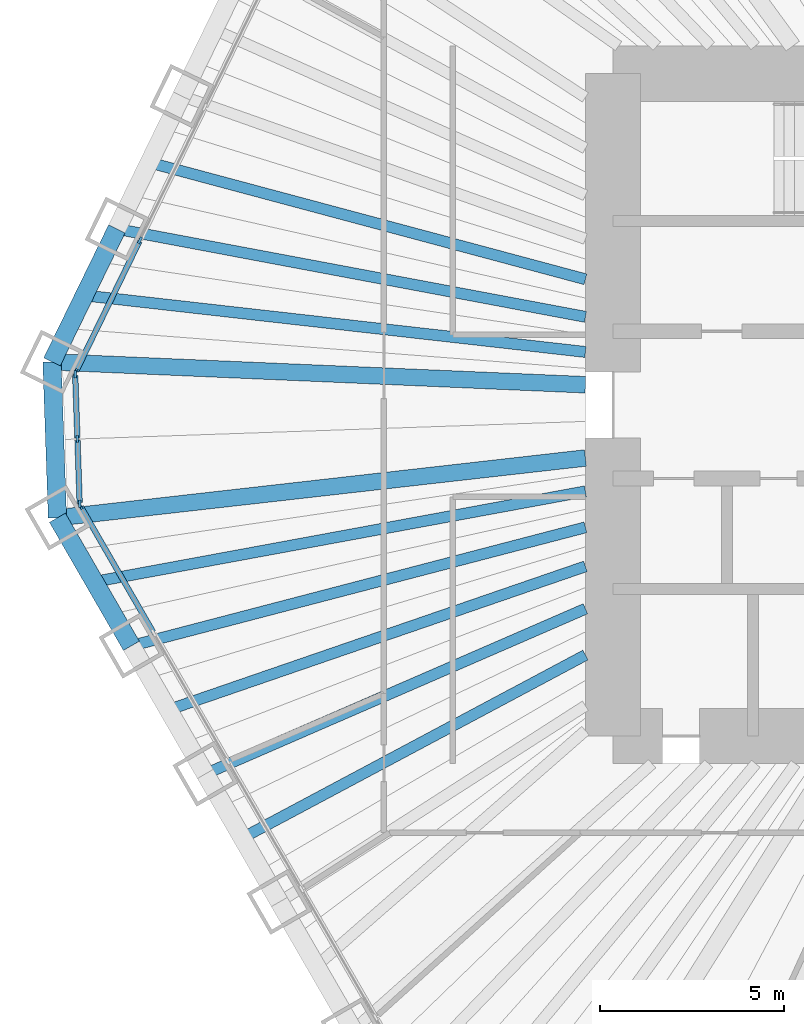
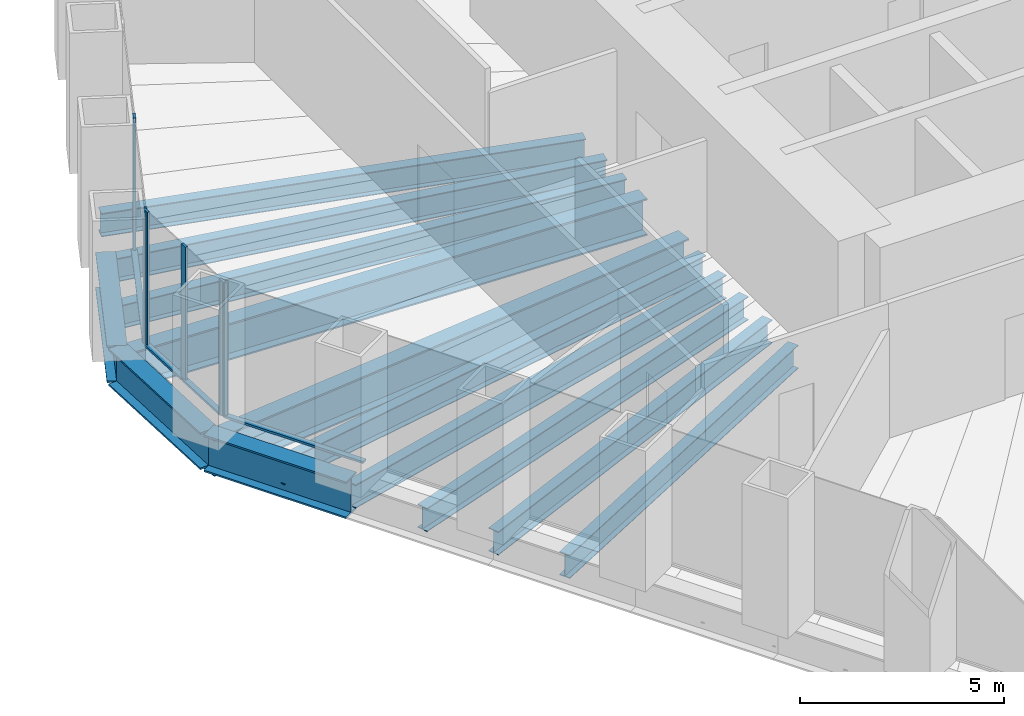
# One storey, part 3 of 13: 13 beams, 10 members, 3 elements without a shape of their own.
"""IFC4 building model written with IfcOpenShell, lengths in metres."""

from ifc_helpers import new_model, si_unit, direction, frame, origin, origin_2d, place, context, subcontext, project, spatial, rectangle, i_section, extrude, material, material_profile, profile_set, type_object, element, aggregate, save


model = new_model("IFC4")

# Units and contexts
model_context = context("Model", 3, precision=1e-05, world=origin(), true_north=direction((0.0, 1.0)))
body_context = subcontext(model_context, "Body", "Model", "MODEL_VIEW")
ifc_project = project(units=[si_unit("LENGTHUNIT", "METRE"), si_unit("AREAUNIT", "SQUARE_METRE"), si_unit("VOLUMEUNIT", "CUBIC_METRE"), si_unit("PLANEANGLEUNIT", "RADIAN"), si_unit("MASSUNIT", "GRAM", prefix="KILO")], contexts=[model_context])

# Site, building, storey
site_placement = place(None, origin())
site = spatial("IfcSite", under=ifc_project, at=site_placement, CompositionType="ELEMENT")
building_placement = place(site_placement, origin())
building = spatial("IfcBuilding", under=site, at=building_placement, Name="Qingtian Harvest Tower", CompositionType="ELEMENT")
storey_placement = place(building_placement, frame((0.0, 0.0, 161.800048828125)))
storey = spatial("IfcBuildingStorey", under=building, at=storey_placement, Name="L34", CompositionType="ELEMENT", Elevation=161.800048828125)

# Beams
ifc_material_1 = material(Name="Steel SM570MC", Category="steel")
ifc_material_profile_1 = material_profile(ifc_material_1, i_section(OverallWidth=0.449951171875, OverallDepth=1.10009765625, WebThickness=0.02197265625, FlangeThickness=0.044921875, at=origin_2d()), Name="H1100x450x22x45")
ifc_profile_set_1 = profile_set([ifc_material_profile_1], Name="Steel SM570MC")
beam_type_1 = type_object("IfcBeamType", Name="Corner floor beam FB8 H1100x450x22x45", PredefinedType="BEAM", material=ifc_profile_set_1)
beam_1_placement = place(storey_placement, frame((-27.096923828125, -3.066650390625, -0.719970703125), z_axis=(0.993656070393, 0.112461610213, 0.0), x_axis=(-0.112461610213, 0.993656070393, 0.0)))
element("IfcBeam", 1, at=beam_1_placement, inside=storey, type_object=beam_type_1, Name="Floor beam FB8 SW6", PredefinedType="BEAM", context=body_context, shape_type="SweptSolid", body=[
    extrude(i_section(OverallWidth=0.449951171875, OverallDepth=1.10009765625, WebThickness=0.02197265625, FlangeThickness=0.044921875, at=origin_2d()), origin(), (0.0, 0.0, 1.0), 14.4384765625),
])
beam_2_placement = place(storey_placement, frame((-27.244873046875, 1.1689453125, -0.719970703125), z_axis=(0.999081074678, -0.042860310542, 0.0), x_axis=(0.042860310542, 0.999081074678, 0.0)))
element("IfcBeam", 2, at=beam_2_placement, inside=storey, type_object=beam_type_1, Name="Floor beam FB8 NW0", PredefinedType="BEAM", context=body_context, shape_type="SweptSolid", body=[
    extrude(i_section(OverallWidth=0.449951171875, OverallDepth=1.10009765625, WebThickness=0.02197265625, FlangeThickness=0.044921875, at=origin_2d()), origin(), (0.0, 0.0, 1.0), 14.50830078125),
])
ifc_material_2 = material(Name="Steel SN490B", Category="steel")
ifc_material_profile_2 = material_profile(ifc_material_2, i_section(OverallWidth=0.300048828125, OverallDepth=0.699951171875, WebThickness=0.012939453125, FlangeThickness=0.02392578125, at=origin_2d()), Name="H700x300x13x24")
ifc_profile_set_2 = profile_set([ifc_material_profile_2], Name="Steel SN490B")
beam_type_2 = type_object("IfcBeamType", Name="Floor beam FB2 H700x300x13x24", PredefinedType="BEAM", material=ifc_profile_set_2)
beam_3_placement = place(storey_placement, frame((-23.077880859375, -10.02783203125, -0.52001953125), z_axis=(0.917154138631, 0.398532666154, 0.0), x_axis=(-0.398532666154, 0.917154138631, 0.0)))
element("IfcBeam", 3, at=beam_3_placement, inside=storey, type_object=beam_type_2, Name="Floor beam FB2 SW4", PredefinedType="BEAM", context=body_context, shape_type="SweptSolid", body=[
    extrude(i_section(OverallWidth=0.300048828125, OverallDepth=0.699951171875, WebThickness=0.012939453125, FlangeThickness=0.02392578125, at=origin_2d()), origin(), (0.0, 0.0, 1.0), 11.2607421875),
])
beam_4_placement = place(storey_placement, frame((-25.08740234375, -6.547119140625, -0.52001953125), z_axis=(0.967592867696, 0.252515429991, 0.0), x_axis=(-0.252515429991, 0.967592867696, 0.0)))
element("IfcBeam", 4, at=beam_4_placement, inside=storey, type_object=beam_type_2, Name="Floor beam FB2 SW5", PredefinedType="BEAM", context=body_context, shape_type="SweptSolid", body=[
    extrude(i_section(OverallWidth=0.300048828125, OverallDepth=0.699951171875, WebThickness=0.012939453125, FlangeThickness=0.02392578125, at=origin_2d()), origin(), (0.0, 0.0, 1.0), 12.750732421875),
])
beam_5_placement = place(storey_placement, frame((-25.483154296875, 4.78125, -0.52001953125), z_axis=(0.982851913913, -0.184396625015, 0.0), x_axis=(0.184396625015, 0.982851913913, 0.0)))
element("IfcBeam", 5, at=beam_5_placement, inside=storey, type_object=beam_type_2, Name="Floor beam FB2 NW1", PredefinedType="BEAM", context=body_context, shape_type="SweptSolid", body=[
    extrude(i_section(OverallWidth=0.300048828125, OverallDepth=0.699951171875, WebThickness=0.012939453125, FlangeThickness=0.02392578125, at=origin_2d()), origin(), (0.0, 0.0, 1.0), 12.955322265625),
])
ifc_material_3 = material(Name="Steel SN490B", Category="steel")
ifc_material_profile_3 = material_profile(ifc_material_3, i_section(OverallWidth=0.300048828125, OverallDepth=0.699951171875, WebThickness=0.012939453125, FlangeThickness=0.02392578125, at=origin_2d()), Name="H700x300x13x24")
ifc_profile_set_3 = profile_set([ifc_material_profile_3], Name="Steel SN490B")
beam_type_3 = type_object("IfcBeamType", Name="Floor joist J2 H700x300x13x24", PredefinedType="JOIST", material=ifc_profile_set_3)
beam_6_placement = place(storey_placement, frame((-22.0732421875, -11.76806640625, -0.52001953125), z_axis=(0.882429048443, 0.47044550637, 0.0), x_axis=(-0.47044550637, 0.882429048443, 0.0)))
element("IfcBeam", 6, at=beam_6_placement, inside=storey, type_object=beam_type_3, Name="Floor joist J2 SW3", PredefinedType="JOIST", context=body_context, shape_type="SweptSolid", body=[
    extrude(i_section(OverallWidth=0.300048828125, OverallDepth=0.699951171875, WebThickness=0.012939453125, FlangeThickness=0.02392578125, at=origin_2d()), origin(), (0.0, 0.0, 1.0), 10.5654296875),
])
beam_7_placement = place(storey_placement, frame((-24.082763671875, -8.28759765625, -0.52001953125), z_axis=(0.945577150072, 0.325397992099, 0.0), x_axis=(-0.325397992099, 0.945577150072, 0.0)))
element("IfcBeam", 7, at=beam_7_placement, inside=storey, type_object=beam_type_3, Name="Floor joist J2 SW4", PredefinedType="JOIST", context=body_context, shape_type="SweptSolid", body=[
    extrude(i_section(OverallWidth=0.300048828125, OverallDepth=0.699951171875, WebThickness=0.012939453125, FlangeThickness=0.02392578125, at=origin_2d()), origin(), (0.0, 0.0, 1.0), 11.985107421875),
])
beam_8_placement = place(storey_placement, frame((-26.09228515625, -4.806884765625, -0.52001953125), z_axis=(0.983450319804, 0.181178002192, 0.0), x_axis=(-0.181178002192, 0.983450319804, 0.0)))
element("IfcBeam", 8, at=beam_8_placement, inside=storey, type_object=beam_type_3, Name="Floor joist J2 SW5", PredefinedType="JOIST", context=body_context, shape_type="SweptSolid", body=[
    extrude(i_section(OverallWidth=0.300048828125, OverallDepth=0.699951171875, WebThickness=0.012939453125, FlangeThickness=0.02392578125, at=origin_2d()), origin(), (0.0, 0.0, 1.0), 13.56689453125),
])
beam_9_placement = place(storey_placement, frame((-26.364013671875, 2.97509765625, -0.52001953125), z_axis=(0.993692330348, -0.112140771387, 0.0), x_axis=(0.112140771387, 0.993692330348, 0.0)))
element("IfcBeam", 9, at=beam_9_placement, inside=storey, type_object=beam_type_3, Name="Floor joist J2 NW0", PredefinedType="JOIST", context=body_context, shape_type="SweptSolid", body=[
    extrude(i_section(OverallWidth=0.300048828125, OverallDepth=0.699951171875, WebThickness=0.012939453125, FlangeThickness=0.02392578125, at=origin_2d()), origin(), (0.0, 0.0, 1.0), 13.700439453125),
])
beam_10_placement = place(storey_placement, frame((-24.60205078125, 6.58740234375, -0.52001953125), z_axis=(0.965969893862, -0.258654526641, 0.0), x_axis=(0.258654526641, 0.965969893862, 0.0)))
element("IfcBeam", 10, at=beam_10_placement, inside=storey, type_object=beam_type_3, Name="Floor joist J2 NW1", PredefinedType="JOIST", context=body_context, shape_type="SweptSolid", body=[
    extrude(i_section(OverallWidth=0.300048828125, OverallDepth=0.699951171875, WebThickness=0.012939453125, FlangeThickness=0.02392578125, at=origin_2d()), origin(), (0.0, 0.0, 1.0), 12.26953125),
])

# Curtain wall, member
ifc_material_4 = material(Name="Bronze-anodised aluminium curtain wall", Category="aluminium")
curtain_wall_type = type_object("IfcCurtainWallType", Name="Curtain wall CW4 office", PredefinedType="USERDEFINED", material=ifc_material_4)
curtain_wall_1_placement = place(storey_placement, origin())
curtain_wall_1 = element("IfcCurtainWall", 11, at=curtain_wall_1_placement, inside=storey, type_object=curtain_wall_type, Name="Curtain wall CW4 L34 SW0-5", ObjectType="RECESSED CURTAIN WALL", PredefinedType="USERDEFINED")
ifc_material_5 = material(Name="Bronze-anodised aluminium mullion", Category="aluminium")
ifc_material_profile_4 = material_profile(ifc_material_5, rectangle(XDim=0.06494140625, YDim=0.199951171875, at=origin_2d()), Name="AL 65x200")
ifc_profile_set_4 = profile_set([ifc_material_profile_4], Name="Bronze-anodised aluminium mullion")
member_type_1 = type_object("IfcMemberType", Name="Mullion CWM 65x200", PredefinedType="MULLION", material=ifc_profile_set_4)
member_1_placement = place(storey_placement, frame((-26.474609375, -2.744873046875, 0.0), z_axis=(0.0, 0.0, 1.0), x_axis=(-0.866025403784, -0.5, 0.0)))
member_1 = element("IfcMember", 12, at=member_1_placement, type_object=member_type_1, Name="CW4 mullion 7", PredefinedType="MULLION", context=body_context, shape_type="SweptSolid", body=[
    extrude(rectangle(XDim=0.06494140625, YDim=0.199951171875, at=origin_2d()), origin(), (0.0, 0.0, 1.0), 4.030029296875),
])

# Curtain wall, members
curtain_wall_2_placement = place(storey_placement, origin())
curtain_wall_2 = element("IfcCurtainWall", 13, at=curtain_wall_2_placement, inside=storey, type_object=curtain_wall_type, Name="Curtain wall CW4 L34 SWC", ObjectType="RECESSED CURTAIN WALL", PredefinedType="USERDEFINED")
member_2_placement = place(storey_placement, frame((-26.491943359375, -2.68408203125, 0.0), z_axis=(0.0, 0.0, 1.0), x_axis=(-0.999390827019, -0.034899496703, 0.0)))
member_2 = element("IfcMember", 14, at=member_2_placement, type_object=member_type_1, Name="CW4 mullion 1", PredefinedType="MULLION", context=body_context, shape_type="SweptSolid", body=[
    extrude(rectangle(XDim=0.06494140625, YDim=0.199951171875, at=origin_2d()), origin(), (0.0, 0.0, 1.0), 4.030029296875),
])
member_3_placement = place(storey_placement, frame((-26.55322265625, -0.92724609375, 0.0), z_axis=(0.0, 0.0, 1.0), x_axis=(-0.999390827019, -0.034899496703, 0.0)))
member_3 = element("IfcMember", 15, at=member_3_placement, type_object=member_type_1, Name="CW4 mullion 2", PredefinedType="MULLION", context=body_context, shape_type="SweptSolid", body=[
    extrude(rectangle(XDim=0.06494140625, YDim=0.199951171875, at=origin_2d()), origin(), (0.0, 0.0, 1.0), 4.030029296875),
])
member_4_placement = place(storey_placement, frame((-26.614501953125, 0.82958984375, 0.0), z_axis=(0.0, 0.0, 1.0), x_axis=(-0.999390827019, -0.034899496703, 0.0)))
member_4 = element("IfcMember", 16, at=member_4_placement, type_object=member_type_1, Name="CW4 mullion 3", PredefinedType="MULLION", context=body_context, shape_type="SweptSolid", body=[
    extrude(rectangle(XDim=0.06494140625, YDim=0.199951171875, at=origin_2d()), origin(), (0.0, 0.0, 1.0), 4.030029296875),
])

curtain_wall_3_placement = place(storey_placement, origin())
curtain_wall_3 = element("IfcCurtainWall", 17, at=curtain_wall_3_placement, inside=storey, type_object=curtain_wall_type, Name="Curtain wall CW4 L34 NW0-5", ObjectType="RECESSED CURTAIN WALL", PredefinedType="USERDEFINED")
member_5_placement = place(storey_placement, frame((-26.6015625, 0.891357421875, 0.0), z_axis=(0.0, 0.0, 1.0), x_axis=(-0.898794046299, 0.438371146789, 0.0)))
member_5 = element("IfcMember", 18, at=member_5_placement, type_object=member_type_1, Name="CW4 mullion 1", PredefinedType="MULLION", context=body_context, shape_type="SweptSolid", body=[
    extrude(rectangle(XDim=0.06494140625, YDim=0.199951171875, at=origin_2d()), origin(), (0.0, 0.0, 1.0), 4.030029296875),
])
member_6_placement = place(storey_placement, frame((-24.85400390625, 4.474365234375, 0.0), z_axis=(0.0, 0.0, 1.0), x_axis=(-0.898794046299, 0.438371146789, 0.0)))
member_6 = element("IfcMember", 19, at=member_6_placement, type_object=member_type_1, Name="CW4 mullion 2", PredefinedType="MULLION", context=body_context, shape_type="SweptSolid", body=[
    extrude(rectangle(XDim=0.06494140625, YDim=0.199951171875, at=origin_2d()), origin(), (0.0, 0.0, 1.0), 4.030029296875),
])

# Beams
ifc_material_6 = material(Name="Steel SM570MC", Category="steel")
ifc_material_profile_5 = material_profile(ifc_material_6, i_section(OverallWidth=0.5, OverallDepth=1.10009765625, WebThickness=0.02490234375, FlangeThickness=0.050048828125, at=origin_2d()), Name="H1100x500x25x50")
ifc_profile_set_5 = profile_set([ifc_material_profile_5], Name="Steel SM570MC")
beam_type_4 = type_object("IfcBeamType", Name="Spandrel beam SB2 H1100x500x25x50", PredefinedType="SPANDREL", material=ifc_profile_set_5)
beam_11_placement = place(storey_placement, frame((-25.08740234375, -6.547119140625, -0.550048828125), z_axis=(-0.500013420409, 0.866017655369, 0.0), x_axis=(-0.866017655369, -0.500013420409, 0.0)))
element("IfcBeam", 20, at=beam_11_placement, inside=storey, type_object=beam_type_4, Name="Spandrel SB2 SW5", PredefinedType="SPANDREL", context=body_context, shape_type="SweptSolid", body=[
    extrude(i_section(OverallWidth=0.5, OverallDepth=1.10009765625, WebThickness=0.02490234375, FlangeThickness=0.050048828125, at=origin_2d()), origin(), (0.0, 0.0, 1.0), 4.01904296875),
])
beam_12_placement = place(storey_placement, frame((-27.096923828125, -3.066650390625, -0.550048828125), z_axis=(-0.034908677553, 0.999390506375, 0.0), x_axis=(-0.999390506375, -0.034908677553, 0.0)))
element("IfcBeam", 21, at=beam_12_placement, inside=storey, type_object=beam_type_4, Name="Spandrel SB2 SWC", PredefinedType="SPANDREL", context=body_context, shape_type="SweptSolid", body=[
    extrude(i_section(OverallWidth=0.5, OverallDepth=1.10009765625, WebThickness=0.02490234375, FlangeThickness=0.050048828125, at=origin_2d()), origin(), (0.0, 0.0, 1.0), 4.23828125),
])
beam_13_placement = place(storey_placement, frame((-27.244873046875, 1.1689453125, -0.550048828125), z_axis=(0.438347033158, 0.898805806902, 0.0), x_axis=(-0.898805806902, 0.438347033158, 0.0)))
element("IfcBeam", 22, at=beam_13_placement, inside=storey, type_object=beam_type_4, Name="Spandrel SB2 NW0", PredefinedType="SPANDREL", context=body_context, shape_type="SweptSolid", body=[
    extrude(i_section(OverallWidth=0.5, OverallDepth=1.10009765625, WebThickness=0.02490234375, FlangeThickness=0.050048828125, at=origin_2d()), origin(), (0.0, 0.0, 1.0), 4.01904296875),
])

# Member
ifc_material_7 = material(Name="Bronze-anodised aluminium transom", Category="aluminium")
ifc_material_profile_6 = material_profile(ifc_material_7, rectangle(XDim=0.14990234375, YDim=0.06494140625, at=origin_2d()), Name="AL 65x150")
ifc_profile_set_6 = profile_set([ifc_material_profile_6], Name="Bronze-anodised aluminium transom")
member_type_2 = type_object("IfcMemberType", Name="Transom CWT 65x150", PredefinedType="USERDEFINED", material=ifc_profile_set_6)
member_7_placement = place(storey_placement, frame((-24.49755859375, -6.169189453125, 0.032470703125), z_axis=(-0.499975738995, 0.866039410429, 0.0), x_axis=(-0.866039410429, -0.499975738995, 0.0)))
member_7 = element("IfcMember", 23, at=member_7_placement, type_object=member_type_2, Name="CW4 transom 6.1", ObjectType="TRANSOM", PredefinedType="USERDEFINED", context=body_context, shape_type="SweptSolid", body=[
    extrude(rectangle(XDim=0.14990234375, YDim=0.06494140625, at=origin_2d()), origin(), (0.0, 0.0, 1.0), 3.921630859375),
])

aggregate(curtain_wall_1, [member_1, member_7])

member_8_placement = place(storey_placement, frame((-26.4931640625, -2.651611328125, 0.032470703125), z_axis=(-0.034899362377, 0.99939083171, 0.0), x_axis=(-0.99939083171, -0.034899362377, 0.0)))
member_8 = element("IfcMember", 24, at=member_8_placement, type_object=member_type_2, Name="CW4 transom 1.1", ObjectType="TRANSOM", PredefinedType="USERDEFINED", context=body_context, shape_type="SweptSolid", body=[
    extrude(rectangle(XDim=0.14990234375, YDim=0.06494140625, at=origin_2d()), origin(), (0.0, 0.0, 1.0), 1.69287109375),
])

member_9_placement = place(storey_placement, frame((-26.554443359375, -0.894775390625, 0.032470703125), z_axis=(-0.034899362377, 0.99939083171, 0.0), x_axis=(-0.99939083171, -0.034899362377, 0.0)))
member_9 = element("IfcMember", 25, at=member_9_placement, type_object=member_type_2, Name="CW4 transom 2.1", ObjectType="TRANSOM", PredefinedType="USERDEFINED", context=body_context, shape_type="SweptSolid", body=[
    extrude(rectangle(XDim=0.14990234375, YDim=0.06494140625, at=origin_2d()), origin(), (0.0, 0.0, 1.0), 1.69287109375),
])

aggregate(curtain_wall_2, [member_2, member_3, member_4, member_8, member_9])

member_10_placement = place(storey_placement, frame((-26.587158203125, 0.92041015625, 0.032470703125), z_axis=(0.438326734225, 0.898815706396, 0.0), x_axis=(-0.898815706396, 0.438326734225, 0.0)))
member_10 = element("IfcMember", 26, at=member_10_placement, type_object=member_type_2, Name="CW4 transom 1.1", ObjectType="TRANSOM", PredefinedType="USERDEFINED", context=body_context, shape_type="SweptSolid", body=[
    extrude(rectangle(XDim=0.14990234375, YDim=0.06494140625, at=origin_2d()), origin(), (0.0, 0.0, 1.0), 3.921630859375),
])

aggregate(curtain_wall_3, [member_5, member_6, member_10])

save(model, "model.ifc")
